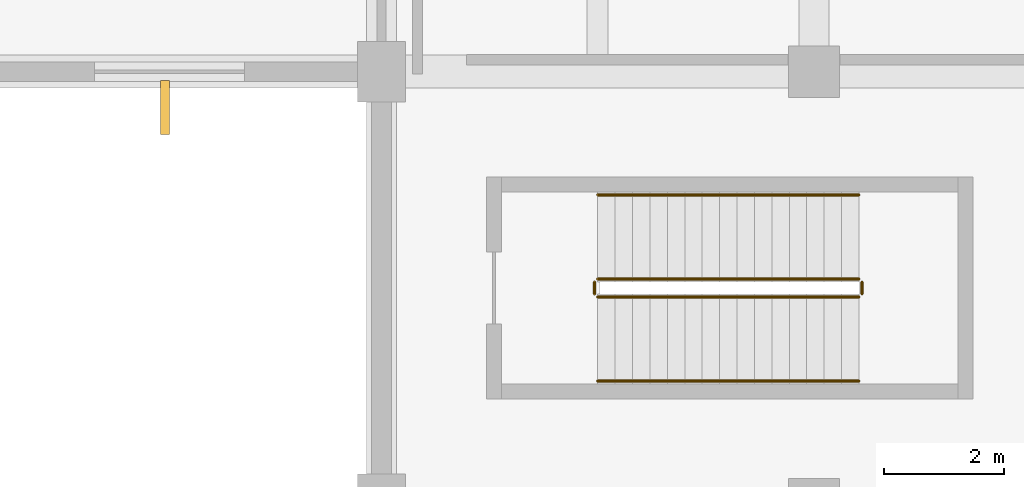
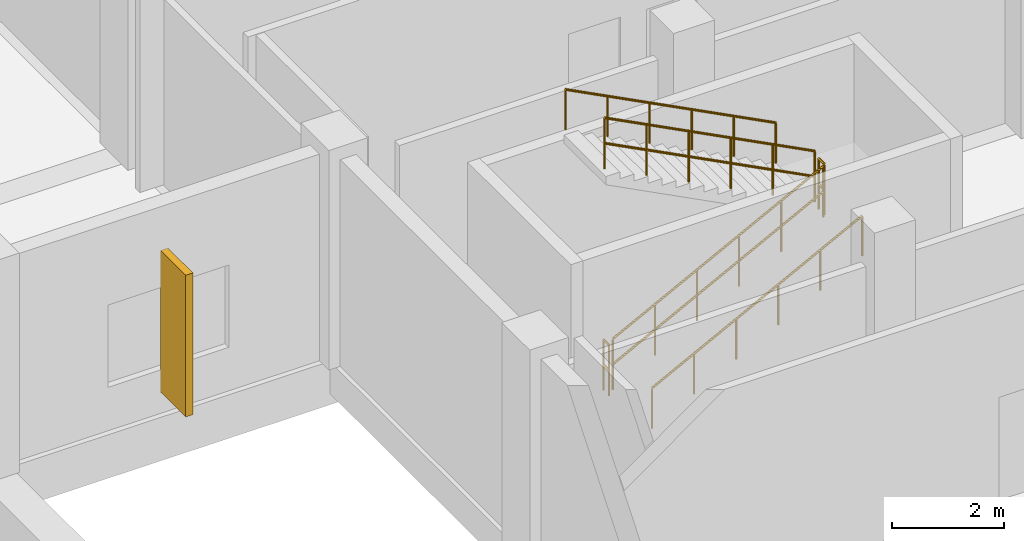
# One storey, part 171 of 181: 6 railings, 1 shading device.
"""IFC4 building model written with IfcOpenShell, lengths in metres."""

from ifc_helpers import new_model, si_unit, direction, frame, origin, origin_2d, place, context, subcontext, project, spatial, rectangle, circle, extrude, material, type_object, element, save


model = new_model("IFC4")

# Units and contexts
model_context = context("Model", 3, precision=1e-05, world=origin(), true_north=direction((0.0, 1.0)))
body_context = subcontext(model_context, "Body", "Model", "MODEL_VIEW")
ifc_project = project(units=[si_unit("LENGTHUNIT", "METRE"), si_unit("AREAUNIT", "SQUARE_METRE"), si_unit("VOLUMEUNIT", "CUBIC_METRE"), si_unit("PLANEANGLEUNIT", "RADIAN"), si_unit("MASSUNIT", "GRAM", prefix="KILO")], contexts=[model_context])

# Site, building, storey
site_placement = place(None, origin())
site = spatial("IfcSite", under=ifc_project, at=site_placement, CompositionType="ELEMENT")
building_placement = place(site_placement, origin())
building = spatial("IfcBuilding", under=site, at=building_placement, Name="Seraya Terrace Polytechnic", CompositionType="ELEMENT")
storey_placement = place(building_placement, frame((0.0, 0.0, 4.800048828125)))
storey = spatial("IfcBuildingStorey", under=building, at=storey_placement, Name="L01", CompositionType="ELEMENT", Elevation=4.800048828125)

# Shading device
ifc_material_1 = material(Name="Precast concrete C40/50", Category="concrete")
shading_device_type = type_object("IfcShadingDeviceType", Name="BS-F1", PredefinedType="JALOUSIE", material=ifc_material_1)
shading_device_placement = place(storey_placement, frame((39.60009765625, 13.804931640625, 0.449951171875), z_axis=(0.0, 0.0, 1.0), x_axis=(0.0, -1.0, 0.0)))
element("IfcShadingDevice", 1, at=shading_device_placement, inside=storey, type_object=shading_device_type, Name="Precast concrete brise-soleil fin L01", PredefinedType="JALOUSIE", context=body_context, shape_type="SweptSolid", body=[
    extrude(rectangle(XDim=0.89990234375, YDim=0.14990234375, at=origin_2d()), origin(), (0.0, 0.0, 1.0), 3.10009765625),
])

# Railings
ifc_material_2 = material(Name="Steel S355J2", Category="steel")
railing_type_1 = type_object("IfcRailingType", Name="GR-02", PredefinedType="GUARDRAIL", material=ifc_material_2)
railing_1_placement = place(storey_placement, frame((46.800048828125, 10.64990234375, 0.14990234375)))
element("IfcRailing", 2, at=railing_1_placement, inside=storey, type_object=railing_type_1, Name="L01 ST-03 stair guard 1", PredefinedType="GUARDRAIL", context=body_context, shape_type="SweptSolid", body=[
    extrude(circle(Radius=0.02392578125, at=origin_2d()), frame((0.0, 0.0, 1.10595703125), z_axis=(0.888211329745, 0.0, 0.459435124596), x_axis=(0.0, 1.0, 0.0)), (0.0, 0.0, 1.0), 4.897216796875),
    extrude(circle(Radius=0.02392578125, at=origin_2d()), frame((0.0, 0.0, 0.550048828125), z_axis=(0.888211329745, 0.0, 0.459435124596), x_axis=(0.0, 1.0, 0.0)), (0.0, 0.0, 1.0), 4.897216796875),
    extrude(circle(Radius=0.02099609375, at=origin_2d()), origin(), (0.0, 0.0, 1.0), 1.081787109375),
    extrude(circle(Radius=0.02099609375, at=origin_2d()), frame((0.869873046875, 0.0, 0.449951171875)), (0.0, 0.0, 1.0), 1.081787109375),
    extrude(circle(Radius=0.02099609375, at=origin_2d()), frame((1.739990234375, 0.0, 0.89990234375)), (0.0, 0.0, 1.0), 1.081787109375),
    extrude(circle(Radius=0.02099609375, at=origin_2d()), frame((2.60986328125, 0.0, 1.35009765625)), (0.0, 0.0, 1.0), 1.081787109375),
    extrude(circle(Radius=0.02099609375, at=origin_2d()), frame((3.47998046875, 0.0, 1.800048828125)), (0.0, 0.0, 1.0), 1.081787109375),
    extrude(circle(Radius=0.02099609375, at=origin_2d()), frame((4.349853515625, 0.0, 2.25)), (0.0, 0.0, 1.0), 1.081787109375),
])
railing_2_placement = place(storey_placement, frame((51.199951171875, 10.699951171875, 2.39990234375)))
element("IfcRailing", 3, at=railing_2_placement, inside=storey, type_object=railing_type_1, Name="L01 ST-03 stair guard 2", PredefinedType="GUARDRAIL", context=body_context, shape_type="SweptSolid", body=[
    extrude(circle(Radius=0.02392578125, at=origin_2d()), frame((0.0, 0.0, 1.10595703125), z_axis=(0.0, 1.0, 0.0), x_axis=(-1.0, 0.0, 0.0)), (0.0, 0.0, 1.0), 0.199951171875),
    extrude(circle(Radius=0.02392578125, at=origin_2d()), frame((0.0, 0.0, 0.550048828125), z_axis=(0.0, 1.0, 0.0), x_axis=(-1.0, 0.0, 0.0)), (0.0, 0.0, 1.0), 0.199951171875),
    extrude(circle(Radius=0.02099609375, at=origin_2d()), origin(), (0.0, 0.0, 1.0), 1.081787109375),
    extrude(circle(Radius=0.02099609375, at=origin_2d()), frame((0.0, 0.199951171875, 0.0)), (0.0, 0.0, 1.0), 1.081787109375),
])
railing_3_placement = place(storey_placement, frame((51.14990234375, 10.949951171875, 2.550048828125)))
element("IfcRailing", 4, at=railing_3_placement, inside=storey, type_object=railing_type_1, Name="L01 ST-03 stair guard 3", PredefinedType="GUARDRAIL", context=body_context, shape_type="SweptSolid", body=[
    extrude(circle(Radius=0.02392578125, at=origin_2d()), frame((0.0, 0.0, 1.10595703125), z_axis=(-0.888211329745, 0.0, 0.459435124596), x_axis=(0.0, -1.0, 0.0)), (0.0, 0.0, 1.0), 4.897216796875),
    extrude(circle(Radius=0.02392578125, at=origin_2d()), frame((0.0, 0.0, 0.550048828125), z_axis=(-0.888211329745, 0.0, 0.459435124596), x_axis=(0.0, -1.0, 0.0)), (0.0, 0.0, 1.0), 4.897216796875),
    extrude(circle(Radius=0.02099609375, at=origin_2d()), origin(), (0.0, 0.0, 1.0), 1.081787109375),
    extrude(circle(Radius=0.02099609375, at=origin_2d()), frame((-0.869873046875, 0.0, 0.449951171875)), (0.0, 0.0, 1.0), 1.081787109375),
    extrude(circle(Radius=0.02099609375, at=origin_2d()), frame((-1.739990234375, 0.0, 0.89990234375)), (0.0, 0.0, 1.0), 1.081787109375),
    extrude(circle(Radius=0.02099609375, at=origin_2d()), frame((-2.60986328125, 0.0, 1.35009765625)), (0.0, 0.0, 1.0), 1.081787109375),
    extrude(circle(Radius=0.02099609375, at=origin_2d()), frame((-3.47998046875, 0.0, 1.800048828125)), (0.0, 0.0, 1.0), 1.081787109375),
    extrude(circle(Radius=0.02099609375, at=origin_2d()), frame((-4.349853515625, 0.0, 2.25)), (0.0, 0.0, 1.0), 1.081787109375),
])
railing_4_placement = place(storey_placement, frame((46.75, 10.699951171875, 0.0)))
element("IfcRailing", 5, at=railing_4_placement, inside=storey, type_object=railing_type_1, Name="L01 ST-03 stair guard 4", PredefinedType="GUARDRAIL", context=body_context, shape_type="SweptSolid", body=[
    extrude(circle(Radius=0.02392578125, at=origin_2d()), frame((0.0, 0.0, 1.10595703125), z_axis=(0.0, 1.0, 0.0), x_axis=(-1.0, 0.0, 0.0)), (0.0, 0.0, 1.0), 0.199951171875),
    extrude(circle(Radius=0.02392578125, at=origin_2d()), frame((0.0, 0.0, 0.550048828125), z_axis=(0.0, 1.0, 0.0), x_axis=(-1.0, 0.0, 0.0)), (0.0, 0.0, 1.0), 0.199951171875),
    extrude(circle(Radius=0.02099609375, at=origin_2d()), origin(), (0.0, 0.0, 1.0), 1.081787109375),
    extrude(circle(Radius=0.02099609375, at=origin_2d()), frame((0.0, 0.199951171875, 0.0)), (0.0, 0.0, 1.0), 1.081787109375),
])
railing_type_2 = type_object("IfcRailingType", Name="HR-01", PredefinedType="HANDRAIL", material=ifc_material_2)
railing_5_placement = place(storey_placement, frame((46.800048828125, 9.25, 0.14990234375)))
element("IfcRailing", 6, at=railing_5_placement, inside=storey, type_object=railing_type_2, Name="L01 ST-03 stair handrail 1", PredefinedType="HANDRAIL", context=body_context, shape_type="SweptSolid", body=[
    extrude(circle(Radius=0.02392578125, at=origin_2d()), frame((0.0, 0.0, 0.8759765625), z_axis=(0.888211329745, 0.0, 0.459435124596), x_axis=(0.0, 1.0, 0.0)), (0.0, 0.0, 1.0), 4.897216796875),
    extrude(circle(Radius=0.02099609375, at=origin_2d()), origin(), (0.0, 0.0, 1.0), 0.851806640625),
    extrude(circle(Radius=0.02099609375, at=origin_2d()), frame((0.869873046875, 0.0, 0.449951171875)), (0.0, 0.0, 1.0), 0.851806640625),
    extrude(circle(Radius=0.02099609375, at=origin_2d()), frame((1.739990234375, 0.0, 0.89990234375)), (0.0, 0.0, 1.0), 0.851806640625),
    extrude(circle(Radius=0.02099609375, at=origin_2d()), frame((2.60986328125, 0.0, 1.35009765625)), (0.0, 0.0, 1.0), 0.851806640625),
    extrude(circle(Radius=0.02099609375, at=origin_2d()), frame((3.47998046875, 0.0, 1.800048828125)), (0.0, 0.0, 1.0), 0.851806640625),
    extrude(circle(Radius=0.02099609375, at=origin_2d()), frame((4.349853515625, 0.0, 2.25)), (0.0, 0.0, 1.0), 0.851806640625),
])
railing_6_placement = place(storey_placement, frame((51.14990234375, 12.35009765625, 2.550048828125)))
element("IfcRailing", 7, at=railing_6_placement, inside=storey, type_object=railing_type_2, Name="L01 ST-03 stair handrail 2", PredefinedType="HANDRAIL", context=body_context, shape_type="SweptSolid", body=[
    extrude(circle(Radius=0.02392578125, at=origin_2d()), frame((0.0, 0.0, 0.8759765625), z_axis=(-0.888211329745, 0.0, 0.459435124596), x_axis=(0.0, -1.0, 0.0)), (0.0, 0.0, 1.0), 4.897216796875),
    extrude(circle(Radius=0.02099609375, at=origin_2d()), origin(), (0.0, 0.0, 1.0), 0.851806640625),
    extrude(circle(Radius=0.02099609375, at=origin_2d()), frame((-0.869873046875, 0.0, 0.449951171875)), (0.0, 0.0, 1.0), 0.851806640625),
    extrude(circle(Radius=0.02099609375, at=origin_2d()), frame((-1.739990234375, 0.0, 0.89990234375)), (0.0, 0.0, 1.0), 0.851806640625),
    extrude(circle(Radius=0.02099609375, at=origin_2d()), frame((-2.60986328125, 0.0, 1.35009765625)), (0.0, 0.0, 1.0), 0.851806640625),
    extrude(circle(Radius=0.02099609375, at=origin_2d()), frame((-3.47998046875, 0.0, 1.800048828125)), (0.0, 0.0, 1.0), 0.851806640625),
    extrude(circle(Radius=0.02099609375, at=origin_2d()), frame((-4.349853515625, 0.0, 2.25)), (0.0, 0.0, 1.0), 0.851806640625),
])

save(model, "model.ifc")
